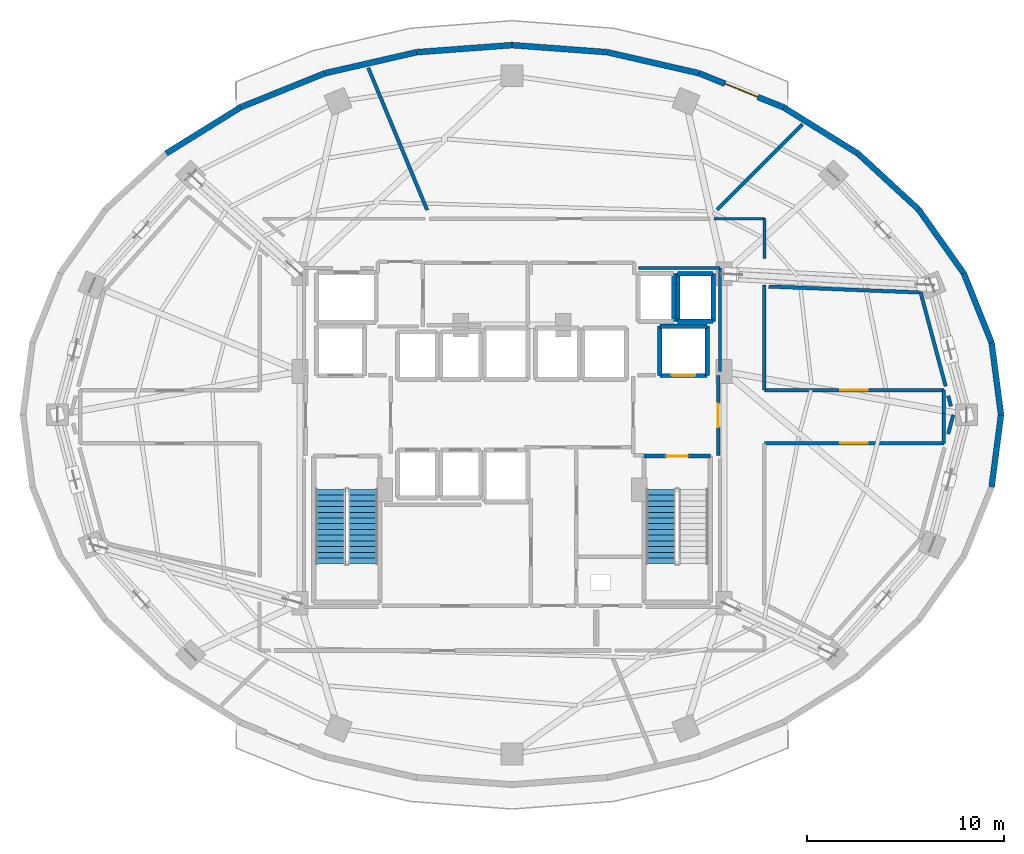
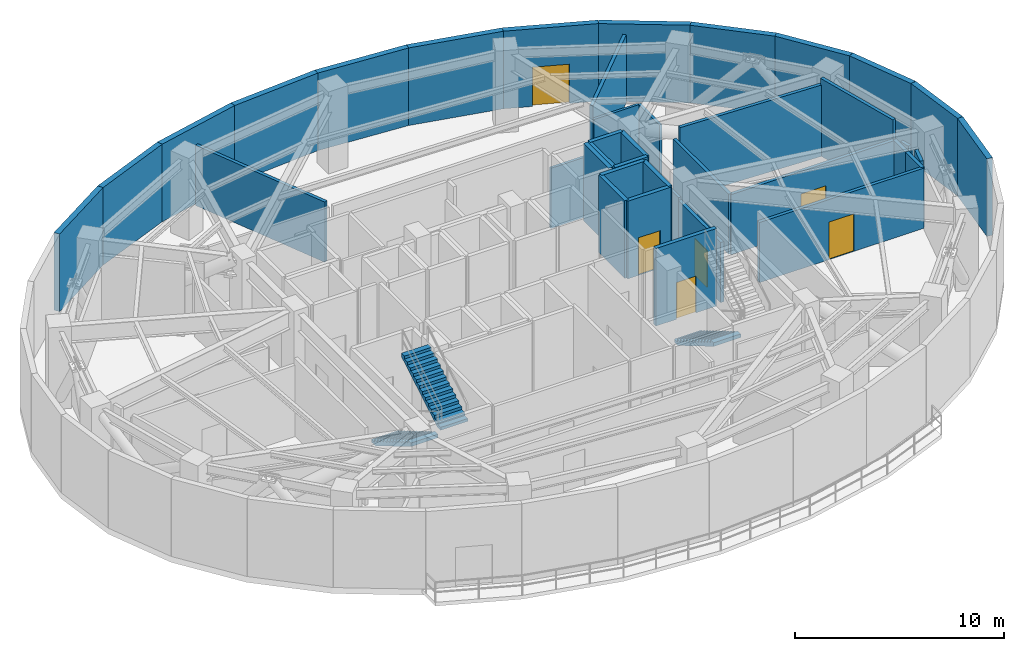
# One storey, part 9 of 11: 39 walls, 6 doors, 3 stair flights, 6 openings, 2 elements without a shape of their own.
"""IFC4 building model written with IfcOpenShell, lengths in metres."""

import ifcopenshell
import ifcopenshell.guid

model = None  # the IFC model being written
_history = None  # IfcOwnerHistory: only IFC2X3 demands one
_inside = {}  # id of a spatial element -> (the spatial element, [elements in it])
_under = {}  # id of a project, library or spatial element -> (it, [spatial elements below it])
_declared = {}  # id of a project -> (the project, [libraries it declares])
_typed = {}  # id of a type object -> (the type object, [elements of that type])
_made_of = {}  # id of a material, layer set ... -> (it, [elements and type objects made of it])


def new_model(schema):
    """Start an empty IFC model of exactly this schema.

    Asked for "IFC4X3", IfcOpenShell would pick the latest addendum, in which some entities
    have other attributes; the version numbers below select the first issue.
    IFC2X3 requires an IfcOwnerHistory on every rooted entity: one is made here for all.
    """
    global model, _history
    if schema == "IFC4X3":
        model = ifcopenshell.file(schema_version=(4, 3, 0, 0))
    else:
        model = ifcopenshell.file(schema=schema)
    _inside.clear()
    _under.clear()
    _declared.clear()
    _typed.clear()
    _made_of.clear()
    _history = None
    if model.schema == "IFC2X3":
        org = make("IfcOrganization", Name="unknown")
        user = make(
            "IfcPersonAndOrganization",
            ThePerson=make("IfcPerson", FamilyName="unknown"),
            TheOrganization=org,
        )
        app = make(
            "IfcApplication",
            ApplicationDeveloper=org,
            Version="unknown",
            ApplicationFullName="unknown",
            ApplicationIdentifier="unknown",
        )
        _history = make(
            "IfcOwnerHistory",
            OwningUser=user,
            OwningApplication=app,
            ChangeAction="ADDED",
            CreationDate=0,
        )
    return model


def make(cls, **values):
    """One entity of the class cls with the attributes given. An attribute that is None is left unset."""
    return model.create_entity(
        cls, **{name: value for name, value in values.items() if value is not None}
    )


def rooted(cls, **values):
    """An entity with a GlobalId (a new one), such as an element, a storey or a relation."""
    return make(cls, GlobalId=ifcopenshell.guid.new(), OwnerHistory=_history, **values)


def si_unit(unit_type, name, prefix=None):
    """IfcSIUnit, for example si_unit("LENGTHUNIT", "METRE", prefix="MILLI")."""
    return make("IfcSIUnit", UnitType=unit_type, Prefix=prefix, Name=name)


def assignment(units):
    """IfcUnitAssignment: the units of a project."""
    return None if units is None else make("IfcUnitAssignment", Units=units)


def point(xyz):
    """IfcCartesianPoint."""
    return None if xyz is None else make("IfcCartesianPoint", Coordinates=xyz)


def direction(xyz):
    """IfcDirection."""
    return None if xyz is None else make("IfcDirection", DirectionRatios=xyz)


def frame(location, z_axis=None, x_axis=None):
    """IfcAxis2Placement3D, a coordinate frame: its origin and axes. An axis left out is left unset."""
    return make(
        "IfcAxis2Placement3D",
        Location=point(location),
        Axis=direction(z_axis),
        RefDirection=direction(x_axis),
    )


def frame_2d(location, x_axis=None):
    """IfcAxis2Placement2D, a coordinate frame in the plane: its origin and x axis."""
    return make(
        "IfcAxis2Placement2D", Location=point(location), RefDirection=direction(x_axis)
    )


def origin():
    """The frame at (0, 0, 0) with its axes left unset."""
    return frame((0.0, 0.0, 0.0))


def place(relative_to, where):
    """IfcLocalPlacement: puts the frame where relative to a parent placement (None: the world)."""
    return make(
        "IfcLocalPlacement", PlacementRelTo=relative_to, RelativePlacement=where
    )


def context(
    kind, dimensions, precision=None, world=None, true_north=None, identifier=None
):
    """IfcGeometricRepresentationContext, for example the 3D "Model" context."""
    return make(
        "IfcGeometricRepresentationContext",
        ContextIdentifier=identifier,
        ContextType=kind,
        CoordinateSpaceDimension=dimensions,
        Precision=precision,
        WorldCoordinateSystem=world,
        TrueNorth=true_north,
    )


def subcontext(parent, identifier, kind, view, scale=None):
    """IfcGeometricRepresentationSubContext, for example "Body" below "Model"."""
    return make(
        "IfcGeometricRepresentationSubContext",
        ContextIdentifier=identifier,
        ContextType=kind,
        ParentContext=parent,
        TargetScale=scale,
        TargetView=view,
    )


def project(units=None, contexts=None):
    """IfcProject with its units and contexts."""
    return rooted(
        "IfcProject",
        Name="project",
        RepresentationContexts=contexts,
        UnitsInContext=assignment(units),
    )


def spatial(cls, under=None, at=None, **own):
    """A site, building, storey or space (cls), placed at a placement, below another one or the project."""
    s = rooted(cls, ObjectPlacement=at, **own)
    if under is not None:
        _under.setdefault(under.id(), (under, []))[1].append(s)
    return s


def polyline(points):
    """IfcPolyline through the points."""
    return make("IfcPolyline", Points=[point(p) for p in points])


def profile(cls, at=None, kind="AREA", **sizes):
    """A parametric profile (cls). Its sizes go by their IFC names, for example OverallWidth=200.0."""
    return make(cls, ProfileType=kind, Position=at, **sizes)


def rectangle(**sizes):
    """IfcRectangleProfileDef."""
    return profile("IfcRectangleProfileDef", **sizes)


def outline(outer, holes=None, kind="AREA"):
    """IfcArbitraryClosedProfileDef: a profile drawn as a closed curve; with holes, ...WithVoids."""
    if holes is None:
        return make("IfcArbitraryClosedProfileDef", ProfileType=kind, OuterCurve=outer)
    return make(
        "IfcArbitraryProfileDefWithVoids",
        ProfileType=kind,
        OuterCurve=outer,
        InnerCurves=holes,
    )


def extrude(swept, where, along, depth):
    """IfcExtrudedAreaSolid: the profile swept, set in the frame where, extruded along a direction by depth."""
    return make(
        "IfcExtrudedAreaSolid",
        SweptArea=swept,
        Position=where,
        ExtrudedDirection=direction(along),
        Depth=depth,
    )


def shape(context_of_items, identifier, shape_type, items):
    """IfcShapeRepresentation: the items that make up one representation, for example the "Body"."""
    return make(
        "IfcShapeRepresentation",
        ContextOfItems=context_of_items,
        RepresentationIdentifier=identifier,
        RepresentationType=shape_type,
        Items=items,
    )


def material(Name=None, Category=None):
    """IfcMaterial."""
    return make("IfcMaterial", Name=Name, Category=Category)


def layer(
    of_material, thickness, ventilated=None, Name=None, Category=None, Priority=None
):
    """IfcMaterialLayer: one layer of a wall or slab, of a material (None: an air gap)."""
    return make(
        "IfcMaterialLayer",
        Material=of_material,
        LayerThickness=thickness,
        IsVentilated=ventilated,
        Name=Name,
        Category=Category,
        Priority=Priority,
    )


def layer_set(layers, Name=None):
    """IfcMaterialLayerSet."""
    return make("IfcMaterialLayerSet", MaterialLayers=layers, LayerSetName=Name)


def made_of(thing, what):
    """Note that an element or type object is made of a material, layer set ...; save() writes the relation."""
    if what is not None:
        _made_of.setdefault(what.id(), (what, []))[1].append(thing)
    return thing


def type_object(cls, material=None, **own):
    """A type object (cls), such as IfcWallType, which elements share."""
    return made_of(rooted(cls, **own), material)


def element(
    cls,
    number,
    at=None,
    inside=None,
    cuts=None,
    type_object=None,
    material=None,
    context=None,
    identifier="Body",
    shape_type=None,
    held_by="IfcProductDefinitionShape",
    body=None,
    shapes=None,
    **own,
):
    """One element of the class cls, such as IfcWall. Its Tag is "e" and its number.

    at: its placement. inside: the storey or other place that contains it. cuts: it is an
    opening in that element (IfcRelVoidsElement). A single representation is given by context,
    identifier, shape_type and body (its items); several are given by shapes. held_by: the class
    of the entity that holds the representations. save() writes the other relations.
    """
    e = rooted(cls, Tag="e%d" % number, ObjectPlacement=at, **own)
    if body is not None:
        shapes = [shape(context, identifier, shape_type, body)]
    if shapes is not None:
        e.Representation = make(held_by, Representations=shapes)
    if inside is not None:
        _inside.setdefault(inside.id(), (inside, []))[1].append(e)
    if cuts is not None:
        rooted(
            "IfcRelVoidsElement", RelatingBuildingElement=cuts, RelatedOpeningElement=e
        )
    if type_object is not None:
        _typed.setdefault(type_object.id(), (type_object, []))[1].append(e)
    return made_of(e, material)


def fill(opening, filler):
    """IfcRelFillsElement: the door or window that sits in an opening."""
    return rooted(
        "IfcRelFillsElement",
        RelatingOpeningElement=opening,
        RelatedBuildingElement=filler,
    )


def aggregate(whole, parts):
    """IfcRelAggregates: a whole, such as a stair, and the parts it consists of."""
    return rooted("IfcRelAggregates", RelatingObject=whole, RelatedObjects=parts)


def save(model, path):
    """Write the relations noted so far, then the file.

    IfcRelAggregates (storeys below a building ...), IfcRelContainedInSpatialStructure (elements
    in a storey), IfcRelDefinesByType, IfcRelAssociatesMaterial and IfcRelDeclares: one each for
    every whole, place, type object, material and project.
    """
    for whole, parts in _under.values():
        aggregate(whole, parts)
    for where, things in _inside.values():
        rooted(
            "IfcRelContainedInSpatialStructure",
            RelatedElements=things,
            RelatingStructure=where,
        )
    for kind, things in _typed.values():
        rooted("IfcRelDefinesByType", RelatedObjects=things, RelatingType=kind)
    for what, things in _made_of.values():
        rooted("IfcRelAssociatesMaterial", RelatedObjects=things, RelatingMaterial=what)
    for by, libraries in _declared.values():
        rooted("IfcRelDeclares", RelatingContext=by, RelatedDefinitions=libraries)
    model.write(path)


model = new_model("IFC4")

# Units and contexts
model_context = context("Model", 3, precision=1e-05, world=origin(), true_north=direction((0.0, 1.0)))
body_context = subcontext(model_context, "Body", "Model", "MODEL_VIEW")
ifc_project = project(units=[si_unit("LENGTHUNIT", "METRE"), si_unit("AREAUNIT", "SQUARE_METRE"), si_unit("VOLUMEUNIT", "CUBIC_METRE"), si_unit("PLANEANGLEUNIT", "RADIAN"), si_unit("MASSUNIT", "GRAM", prefix="KILO")], contexts=[model_context])

# Site, building, storey
site_placement = place(None, origin())
site = spatial("IfcSite", under=ifc_project, at=site_placement, CompositionType="ELEMENT")
building_placement = place(site_placement, origin())
building = spatial("IfcBuilding", under=site, at=building_placement, Name="Vorneva Point Tower", CompositionType="ELEMENT")
storey_placement = place(building_placement, frame((0.0, 0.0, 124.300048828125)))
storey = spatial("IfcBuildingStorey", under=building, at=storey_placement, Name="L33", CompositionType="ELEMENT", Elevation=124.300048828125)

# Wall, opening, door
ifc_material_1 = material(Name="Concrete B60 (C50/60)", Category="concrete")
ifc_layer_1 = layer(ifc_material_1, 0.5)
ifc_layer_set_1 = layer_set([ifc_layer_1], Name="Concrete B60 (C50/60)")
wall_type_1 = type_object("IfcWallType", Name="WL-CORE-500", PredefinedType="SHEAR", material=ifc_layer_set_1)
wall_1_placement = place(storey_placement, frame((45.5, 28.0, 0.0), z_axis=(0.0, 0.0, 1.0), x_axis=(1.0, 0.0, 0.0)))
wall_1 = element("IfcWall", 1, at=wall_1_placement, inside=storey, type_object=wall_type_1, Name="L33 Lift FFL2 Shaft Wall -Y", PredefinedType="SHEAR", context=body_context, shape_type="SweptSolid", body=[
    extrude(rectangle(XDim=2.39990234375, YDim=0.219970703125, at=frame_2d((1.199951171875, 0.0))), origin(), (0.0, 0.0, 1.0), 4.5400390625),
])
opening_1_placement = place(wall_1_placement, frame((0.60009765625, 0.0, 0.0)))
opening_1 = element("IfcOpeningElement", 2, at=opening_1_placement, cuts=wall_1, Name="Opening LD-02", PredefinedType="OPENING", context=body_context, shape_type="SweptSolid", body=[
    extrude(rectangle(XDim=1.199951171875, YDim=2.199951171875, at=frame_2d((0.60009765625, 1.10009765625))), frame((0.0, 0.125, 0.0), z_axis=(0.0, -1.0, 0.0), x_axis=(1.0, 0.0, 0.0)), (0.0, 0.0, 1.0), 0.249755859375),
])
ifc_material_2 = material(Name="Brushed stainless steel S304", Category="steel")
door_type_1 = type_object("IfcDoorType", Name="LD-FIRE-1200", OperationType="SLIDING_TO_LEFT", PredefinedType="DOOR", material=ifc_material_2)
door_1_placement = place(opening_1_placement, origin())
door_1 = element("IfcDoor", 3, at=door_1_placement, inside=storey, type_object=door_type_1, Name="L33 Lift FFL2 Sliding Landing Door", OperationType="SLIDING_TO_LEFT", OverallHeight=2.199951171875, OverallWidth=1.199951171875, PredefinedType="DOOR", context=body_context, shape_type="SweptSolid", body=[
    extrude(rectangle(XDim=1.199951171875, YDim=2.199951171875, at=frame_2d((0.60009765625, 1.10009765625))), frame((0.0, 0.02490234375, 0.0), z_axis=(0.0, -1.0, 0.0), x_axis=(1.0, 0.0, 0.0)), (0.0, 0.0, 1.0), 0.050048828125),
])
fill(opening_1, door_1)

# Walls
wall_2_placement = place(storey_placement, frame((47.89990234375, 28.0, 0.0), z_axis=(0.0, 0.0, 1.0), x_axis=(0.0, 1.0, 0.0)))
element("IfcWall", 4, at=wall_2_placement, inside=storey, type_object=wall_type_1, Name="L33 Lift FFL2 Shaft Wall +X", PredefinedType="SHEAR", context=body_context, shape_type="SweptSolid", body=[
    extrude(rectangle(XDim=2.5, YDim=0.219970703125, at=frame_2d((1.25, 0.0))), origin(), (0.0, 0.0, 1.0), 4.5400390625),
])
wall_3_placement = place(storey_placement, frame((47.89990234375, 30.5, 0.0), z_axis=(0.0, 0.0, 1.0), x_axis=(-1.0, 0.0, 0.0)))
element("IfcWall", 5, at=wall_3_placement, inside=storey, type_object=wall_type_1, Name="L33 Lift FFL2 Shaft Wall +Y", PredefinedType="SHEAR", context=body_context, shape_type="SweptSolid", body=[
    extrude(rectangle(XDim=2.39990234375, YDim=0.219970703125, at=frame_2d((1.199951171875, 0.0))), origin(), (0.0, 0.0, 1.0), 4.5400390625),
])
wall_4_placement = place(storey_placement, frame((45.5, 30.5, 0.0), z_axis=(0.0, 0.0, 1.0), x_axis=(0.0, -1.0, 0.0)))
element("IfcWall", 6, at=wall_4_placement, inside=storey, type_object=wall_type_1, Name="L33 Lift FFL2 Shaft Wall -X", PredefinedType="SHEAR", context=body_context, shape_type="SweptSolid", body=[
    extrude(rectangle(XDim=2.5, YDim=0.219970703125, at=frame_2d((1.25, 0.0))), origin(), (0.0, 0.0, 1.0), 4.5400390625),
])
ifc_material_3 = material(Name="Precast concrete B50 (C40/50)", Category="concrete")
ifc_layer_2 = layer(ifc_material_3, 0.300048828125)
ifc_layer_set_2 = layer_set([ifc_layer_2], Name="Precast concrete B50 (C40/50)")
wall_type_2 = type_object("IfcWallType", Name="WL-EXT-300", PredefinedType="STANDARD", material=ifc_layer_set_2)
wall_5_placement = place(storey_placement, frame((62.800048828125, 26.0, 0.0), z_axis=(0.0, 0.0, 1.0), x_axis=(-0.129189225186, 0.991619959509, 0.0)))
element("IfcWall", 7, at=wall_5_placement, inside=storey, type_object=wall_type_2, Name="L33 Pale-Metal Facade Spandrel Wall 01.1", PredefinedType="STANDARD", context=body_context, shape_type="SweptSolid", body=[
    extrude(rectangle(XDim=3.68896484375, YDim=0.300048828125, at=frame_2d((1.844482421875, 0.0))), origin(), (0.0, 0.0, 1.0), 4.5400390625),
])
wall_6_placement = place(storey_placement, frame((62.323486328125, 29.657958984375, 0.0), z_axis=(0.0, 0.0, 1.0), x_axis=(-0.372401154411, 0.928071861546, 0.0)))
element("IfcWall", 8, at=wall_6_placement, inside=storey, type_object=wall_type_2, Name="L33 Pale-Metal Facade Spandrel Wall 01.2", PredefinedType="STANDARD", context=body_context, shape_type="SweptSolid", body=[
    extrude(rectangle(XDim=3.7900390625, YDim=0.300048828125, at=frame_2d((1.89501953125, 0.0))), origin(), (0.0, 0.0, 1.0), 4.5400390625),
])
wall_7_placement = place(storey_placement, frame((60.912109375, 33.17529296875, 0.0), z_axis=(0.0, 0.0, 1.0), x_axis=(-0.577269753207, 0.816553508371, 0.0)))
element("IfcWall", 9, at=wall_7_placement, inside=storey, type_object=wall_type_2, Name="L33 Pale-Metal Facade Spandrel Wall 02.1", PredefinedType="STANDARD", context=body_context, shape_type="SweptSolid", body=[
    extrude(rectangle(XDim=3.969970703125, YDim=0.300048828125, at=frame_2d((1.98486328125, 0.0))), origin(), (0.0, 0.0, 1.0), 4.5400390625),
])
wall_8_placement = place(storey_placement, frame((58.620361328125, 36.4169921875, 0.0), z_axis=(0.0, 0.0, 1.0), x_axis=(-0.735477154165, 0.677549522693, 0.0)))
element("IfcWall", 10, at=wall_8_placement, inside=storey, type_object=wall_type_2, Name="L33 Pale-Metal Facade Spandrel Wall 02.2", PredefinedType="STANDARD", context=body_context, shape_type="SweptSolid", body=[
    extrude(rectangle(XDim=4.193603515625, YDim=0.300048828125, at=frame_2d((2.0966796875, 0.0))), origin(), (0.0, 0.0, 1.0), 4.5400390625),
])
wall_9_placement = place(storey_placement, frame((55.5361328125, 39.25830078125, 0.0), z_axis=(0.0, 0.0, 1.0), x_axis=(-0.849721181976, 0.527232313977, 0.0)))
element("IfcWall", 11, at=wall_9_placement, inside=storey, type_object=wall_type_2, Name="L33 Pale-Metal Facade Spandrel Wall 03.1", PredefinedType="STANDARD", context=body_context, shape_type="SweptSolid", body=[
    extrude(rectangle(XDim=4.422607421875, YDim=0.300048828125, at=frame_2d((2.21142578125, 0.0))), origin(), (0.0, 0.0, 1.0), 4.5400390625),
])

# Wall, opening, door
wall_10_placement = place(storey_placement, frame((51.778076171875, 41.590087890625, 0.0), z_axis=(0.0, 0.0, 1.0), x_axis=(-0.927156504392, 0.374674280359, 0.0)))
wall_10 = element("IfcWall", 12, at=wall_10_placement, inside=storey, type_object=wall_type_2, Name="L33 Pale-Metal Facade Spandrel Wall 03.2", PredefinedType="STANDARD", context=body_context, shape_type="SweptSolid", body=[
    extrude(rectangle(XDim=4.62451171875, YDim=0.300048828125, at=frame_2d((2.312255859375, 0.0))), origin(), (0.0, 0.0, 1.0), 4.5400390625),
])
opening_2_placement = place(wall_10_placement, frame((1.412109375, 0.0, 0.0)))
opening_2 = element("IfcOpeningElement", 13, at=opening_2_placement, cuts=wall_10, Name="Opening BD-02", PredefinedType="OPENING", context=body_context, shape_type="SweptSolid", body=[
    extrude(rectangle(XDim=1.800048828125, YDim=2.300048828125, at=frame_2d((0.89990234375, 1.14990234375))), frame((0.0, 0.1650390625, 0.0), z_axis=(0.0, -1.0, 0.0), x_axis=(1.0, 0.0, 0.0)), (0.0, 0.0, 1.0), 0.329833984375),
])
ifc_material_4 = material(Name="Pale anodised aluminium", Category="aluminium")
door_type_2 = type_object("IfcDoorType", Name="DR-TER-1800", OperationType="DOUBLE_SWING_LEFT", PredefinedType="DOOR", material=ifc_material_4)
door_2_placement = place(opening_2_placement, origin())
door_2 = element("IfcDoor", 14, at=door_2_placement, inside=storey, type_object=door_type_2, Name="L33 Balcony Terrace Access Door 03", OperationType="DOUBLE_SWING_LEFT", OverallHeight=2.300048828125, OverallWidth=1.800048828125, PredefinedType="DOOR", context=body_context, shape_type="SweptSolid", body=[
    extrude(rectangle(XDim=1.800048828125, YDim=2.300048828125, at=frame_2d((0.89990234375, 1.14990234375))), frame((0.0, 0.02490234375, 0.0), z_axis=(0.0, -1.0, 0.0), x_axis=(1.0, 0.0, 0.0)), (0.0, 0.0, 1.0), 0.050048828125),
])
fill(opening_2, door_2)

# Walls
wall_11_placement = place(storey_placement, frame((47.490478515625, 43.32275390625, 0.0), z_axis=(0.0, 0.0, 1.0), x_axis=(-0.974698897188, 0.223521944832, 0.0)))
element("IfcWall", 15, at=wall_11_placement, inside=storey, type_object=wall_type_2, Name="L33 Pale-Metal Facade Spandrel Wall 04.1", PredefinedType="STANDARD", context=body_context, shape_type="SweptSolid", body=[
    extrude(rectangle(XDim=4.773193359375, YDim=0.300048828125, at=frame_2d((2.38671875, 0.0))), origin(), (0.0, 0.0, 1.0), 4.5400390625),
])
for number, where, z_axis, x_axis, name in (
    (16, (42.838134765625, 44.3896484375, 0.0), (0.0, 0.0, 1.0), (-0.997237740067, 0.074275768499, 0.0), "L33 Pale-Metal Facade Spandrel Wall 04.2"),
    (17, (38.0, 44.75, 0.0), (0.0, 0.0, 1.0), (-0.997237740067, -0.074275768499, 0.0), "L33 Pale-Metal Facade Spandrel Wall 05.1"),
):
    element("IfcWall", number, at=place(storey_placement, frame(where, z_axis=z_axis, x_axis=x_axis)), inside=storey, type_object=wall_type_2, Name=name, PredefinedType="STANDARD", context=body_context, shape_type="SweptSolid", body=[
        extrude(rectangle(XDim=4.8515625, YDim=0.300048828125, at=frame_2d((2.42578125, 0.0))), origin(), (0.0, 0.0, 1.0), 4.5400390625),
    ])
wall_12_placement = place(storey_placement, frame((33.161865234375, 44.3896484375, 0.0), z_axis=(0.0, 0.0, 1.0), x_axis=(-0.974698897188, -0.223521944832, 0.0)))
element("IfcWall", 18, at=wall_12_placement, inside=storey, type_object=wall_type_2, Name="L33 Pale-Metal Facade Spandrel Wall 05.2", PredefinedType="STANDARD", context=body_context, shape_type="SweptSolid", body=[
    extrude(rectangle(XDim=4.773193359375, YDim=0.300048828125, at=frame_2d((2.38671875, 0.0))), origin(), (0.0, 0.0, 1.0), 4.5400390625),
])
wall_13_placement = place(storey_placement, frame((28.509521484375, 43.32275390625, 0.0), z_axis=(0.0, 0.0, 1.0), x_axis=(-0.927156504392, -0.374674280359, 0.0)))
element("IfcWall", 19, at=wall_13_placement, inside=storey, type_object=wall_type_2, Name="L33 Pale-Metal Facade Spandrel Wall 06.1", PredefinedType="STANDARD", context=body_context, shape_type="SweptSolid", body=[
    extrude(rectangle(XDim=4.62451171875, YDim=0.300048828125, at=frame_2d((2.312255859375, 0.0))), origin(), (0.0, 0.0, 1.0), 4.5400390625),
])
wall_14_placement = place(storey_placement, frame((24.221923828125, 41.590087890625, 0.0), z_axis=(0.0, 0.0, 1.0), x_axis=(-0.849721181976, -0.527232313977, 0.0)))
element("IfcWall", 20, at=wall_14_placement, inside=storey, type_object=wall_type_2, Name="L33 Pale-Metal Facade Spandrel Wall 06.2", PredefinedType="STANDARD", context=body_context, shape_type="SweptSolid", body=[
    extrude(rectangle(XDim=4.422607421875, YDim=0.300048828125, at=frame_2d((2.21142578125, 0.0))), origin(), (0.0, 0.0, 1.0), 4.5400390625),
])
wall_15_placement = place(storey_placement, frame((62.323486328125, 22.342041015625, 0.0), z_axis=(0.0, 0.0, 1.0), x_axis=(0.129189225186, 0.991619959509, 0.0)))
element("IfcWall", 21, at=wall_15_placement, inside=storey, type_object=wall_type_2, Name="L33 Pale-Metal Facade Spandrel Wall 16.2", PredefinedType="STANDARD", context=body_context, shape_type="SweptSolid", body=[
    extrude(rectangle(XDim=3.68896484375, YDim=0.300048828125, at=frame_2d((1.844482421875, 0.0))), origin(), (0.0, 0.0, 1.0), 4.5400390625),
])
ifc_material_5 = material(Name="Fire-rated acoustic gypsum stud partition", Category="gypsum")
ifc_layer_3 = layer(ifc_material_5, 0.139892578125)
ifc_layer_set_3 = layer_set([ifc_layer_3], Name="Fire-rated acoustic gypsum stud partition")
wall_type_3 = type_object("IfcWallType", Name="WL-PART-140", PredefinedType="PARTITIONING", material=ifc_layer_set_3)
wall_16_placement = place(storey_placement, frame((50.800048828125, 33.927978515625, 0.0), z_axis=(0.0, 0.0, 1.0), x_axis=(0.0, 1.0, 0.0)))
element("IfcWall", 22, at=wall_16_placement, inside=storey, type_object=wall_type_3, Name="L33 Interior Closure Partition 042", PredefinedType="PARTITIONING", context=body_context, shape_type="SweptSolid", body=[
    extrude(rectangle(XDim=2.02197265625, YDim=0.139892578125, at=frame_2d((1.010986328125, 0.0))), origin(), (0.0, 0.0, 1.0), 3.52197265625),
])
wall_17_placement = place(storey_placement, frame((50.800048828125, 35.949951171875, 0.0), z_axis=(0.0, 0.0, 1.0), x_axis=(-1.0, 0.0, 0.0)))
element("IfcWall", 23, at=wall_17_placement, inside=storey, type_object=wall_type_3, Name="L33 Interior Closure Partition 043", PredefinedType="PARTITIONING", context=body_context, shape_type="SweptSolid", body=[
    extrude(rectangle(XDim=2.545166015625, YDim=0.139892578125, at=frame_2d((1.2724609375, 0.0))), origin(), (0.0, 0.0, 1.0), 3.52197265625),
])
wall_18_placement = place(storey_placement, frame((48.550048828125, 28.196044921875, 0.0), z_axis=(0.0, 0.0, 1.0), x_axis=(0.0, 1.0, 0.0)))
element("IfcWall", 24, at=wall_18_placement, inside=storey, type_object=wall_type_3, Name="L33 Interior Closure Partition 061", PredefinedType="PARTITIONING", context=body_context, shape_type="SweptSolid", body=[
    extrude(rectangle(XDim=5.25390625, YDim=0.139892578125, at=frame_2d((2.626953125, 0.0))), origin(), (0.0, 0.0, 1.0), 3.52197265625),
])
wall_19_placement = place(storey_placement, frame((48.550048828125, 33.449951171875, 0.0), z_axis=(0.0, 0.0, 1.0), x_axis=(-1.0, 0.0, 0.0)))
element("IfcWall", 25, at=wall_19_placement, inside=storey, type_object=wall_type_3, Name="L33 Interior Closure Partition 062", PredefinedType="PARTITIONING", context=body_context, shape_type="SweptSolid", body=[
    extrude(rectangle(XDim=4.130126953125, YDim=0.139892578125, at=frame_2d((2.06494140625, 0.0))), origin(), (0.0, 0.0, 1.0), 3.52197265625),
])

# Wall, opening, door
ifc_material_6 = material(Name="Autoclaved aerated concrete blockwork", Category="masonry")
ifc_layer_4 = layer(ifc_material_6, 0.179931640625)
ifc_layer_set_4 = layer_set([ifc_layer_4], Name="Autoclaved aerated concrete blockwork")
wall_type_4 = type_object("IfcWallType", Name="WL-PART-180", PredefinedType="PARTITIONING", material=ifc_layer_set_4)
wall_20_placement = place(storey_placement, frame((48.449951171875, 23.949951171875, 0.0), z_axis=(0.0, 0.0, 1.0), x_axis=(0.0, 1.0, 0.0)))
wall_20 = element("IfcWall", 26, at=wall_20_placement, inside=storey, type_object=wall_type_4, Name="L33 Interior Partition 005", PredefinedType="PARTITIONING", context=body_context, shape_type="SweptSolid", body=[
    extrude(rectangle(XDim=4.050048828125, YDim=0.179931640625, at=frame_2d((2.02490234375, 0.0))), origin(), (0.0, 0.0, 1.0), 3.52197265625),
])
opening_3_placement = place(wall_20_placement, frame((1.425048828125, 0.0, 0.0)))
opening_3 = element("IfcOpeningElement", 27, at=opening_3_placement, cuts=wall_20, Name="Opening FD-02", PredefinedType="OPENING", context=body_context, shape_type="SweptSolid", body=[
    extrude(rectangle(XDim=1.199951171875, YDim=2.14990234375, at=frame_2d((0.60009765625, 1.074951171875))), frame((0.0, 0.10498046875, 0.0), z_axis=(0.0, -1.0, 0.0), x_axis=(1.0, 0.0, 0.0)), (0.0, 0.0, 1.0), 0.209716796875),
])
ifc_material_7 = material(Name="Fire-rated powder-coated steel", Category="steel")
door_type_3 = type_object("IfcDoorType", Name="DR-FFL-1200", OperationType="NOTDEFINED", PredefinedType="DOOR", material=ifc_material_7)
door_3_placement = place(opening_3_placement, origin())
door_3 = element("IfcDoor", 28, at=door_3_placement, inside=storey, type_object=door_type_3, Name="L33 Door East Firefighting Lobby / L33 Refuge and Lift Lobby", OperationType="SINGLE_SWING_LEFT", OverallHeight=2.14990234375, OverallWidth=1.199951171875, PredefinedType="DOOR", context=body_context, shape_type="SweptSolid", body=[
    extrude(rectangle(XDim=1.199951171875, YDim=2.14990234375, at=frame_2d((0.60009765625, 1.074951171875))), frame((0.0, 0.02490234375, 0.0), z_axis=(0.0, -1.0, 0.0), x_axis=(1.0, 0.0, 0.0)), (0.0, 0.0, 1.0), 0.050048828125),
])
fill(opening_3, door_3)

wall_21_placement = place(storey_placement, frame((50.800048828125, 24.550048828125, 0.0), z_axis=(0.0, 0.0, 1.0), x_axis=(1.0, 0.0, 0.0)))
wall_21 = element("IfcWall", 29, at=wall_21_placement, inside=storey, type_object=wall_type_4, Name="L33 Interior Partition 032", PredefinedType="PARTITIONING", context=body_context, shape_type="SweptSolid", body=[
    extrude(rectangle(XDim=9.099853515625, YDim=0.179931640625, at=frame_2d((4.5498046875, 0.0))), origin(), (0.0, 0.0, 1.0), 3.52197265625),
])
opening_4_placement = place(wall_21_placement, frame((3.85009765625, 0.0, 0.0)))
opening_4 = element("IfcOpeningElement", 30, at=opening_4_placement, cuts=wall_21, Name="Opening FD-03", PredefinedType="OPENING", context=body_context, shape_type="SweptSolid", body=[
    extrude(rectangle(XDim=1.39990234375, YDim=2.199951171875, at=frame_2d((0.699951171875, 1.10009765625))), frame((0.0, 0.10498046875, 0.0), z_axis=(0.0, -1.0, 0.0), x_axis=(1.0, 0.0, 0.0)), (0.0, 0.0, 1.0), 0.209716796875),
])
door_type_4 = type_object("IfcDoorType", Name="DR-PLT-1400", OperationType="DOUBLE_SWING_LEFT", PredefinedType="DOOR", material=ifc_material_7)
door_4_placement = place(opening_4_placement, origin())
door_4 = element("IfcDoor", 31, at=door_4_placement, inside=storey, type_object=door_type_4, Name="L33 Door L33 Refuge and Lift Lobby / Air Handling Plant Room L33", OperationType="DOUBLE_SWING_LEFT", OverallHeight=2.199951171875, OverallWidth=1.39990234375, PredefinedType="DOOR", context=body_context, shape_type="SweptSolid", body=[
    extrude(rectangle(XDim=1.39990234375, YDim=2.199951171875, at=frame_2d((0.699951171875, 1.10009765625))), frame((0.0, 0.02490234375, 0.0), z_axis=(0.0, -1.0, 0.0), x_axis=(1.0, 0.0, 0.0)), (0.0, 0.0, 1.0), 0.050048828125),
])
fill(opening_4, door_4)

# Walls
wall_22_placement = place(storey_placement, frame((59.89990234375, 24.550048828125, 0.0), z_axis=(0.0, 0.0, 1.0), x_axis=(0.0, 1.0, 0.0)))
element("IfcWall", 32, at=wall_22_placement, inside=storey, type_object=wall_type_4, Name="L33 Interior Partition 033", PredefinedType="PARTITIONING", context=body_context, shape_type="SweptSolid", body=[
    extrude(rectangle(XDim=1.510009765625, YDim=0.179931640625, at=frame_2d((0.7548828125, 0.0))), origin(), (0.0, 0.0, 1.0), 3.52197265625),
])
wall_23_placement = place(storey_placement, frame((59.89990234375, 26.06005859375, 0.0), z_axis=(0.0, 0.0, 1.0), x_axis=(0.0, 1.0, 0.0)))
element("IfcWall", 33, at=wall_23_placement, inside=storey, type_object=wall_type_4, Name="L33 Interior Partition 034", PredefinedType="PARTITIONING", context=body_context, shape_type="SweptSolid", body=[
    extrude(rectangle(XDim=1.18994140625, YDim=0.179931640625, at=frame_2d((0.594970703125, 0.0))), origin(), (0.0, 0.0, 1.0), 3.52197265625),
])

# Wall, opening, door
wall_24_placement = place(storey_placement, frame((59.89990234375, 27.25, 0.0), z_axis=(0.0, 0.0, 1.0), x_axis=(-1.0, 0.0, 0.0)))
wall_24 = element("IfcWall", 34, at=wall_24_placement, inside=storey, type_object=wall_type_4, Name="L33 Interior Partition 035", PredefinedType="PARTITIONING", context=body_context, shape_type="SweptSolid", body=[
    extrude(rectangle(XDim=9.099853515625, YDim=0.179931640625, at=frame_2d((4.5498046875, 0.0))), origin(), (0.0, 0.0, 1.0), 3.52197265625),
])
opening_5_placement = place(wall_24_placement, frame((3.85009765625, 0.0, 0.0)))
opening_5 = element("IfcOpeningElement", 35, at=opening_5_placement, cuts=wall_24, Name="Opening FD-03", PredefinedType="OPENING", context=body_context, shape_type="SweptSolid", body=[
    extrude(rectangle(XDim=1.39990234375, YDim=2.199951171875, at=frame_2d((0.699951171875, 1.10009765625))), frame((0.0, 0.10498046875, 0.0), z_axis=(0.0, -1.0, 0.0), x_axis=(1.0, 0.0, 0.0)), (0.0, 0.0, 1.0), 0.209716796875),
])
door_5_placement = place(opening_5_placement, origin())
door_5 = element("IfcDoor", 36, at=door_5_placement, inside=storey, type_object=door_type_4, Name="L33 Door L33 Refuge and Lift Lobby / Electrical Switchgear Room L33", OperationType="DOUBLE_SWING_LEFT", OverallHeight=2.199951171875, OverallWidth=1.39990234375, PredefinedType="DOOR", context=body_context, shape_type="SweptSolid", body=[
    extrude(rectangle(XDim=1.39990234375, YDim=2.199951171875, at=frame_2d((0.699951171875, 1.10009765625))), frame((0.0, 0.02490234375, 0.0), z_axis=(0.0, -1.0, 0.0), x_axis=(1.0, 0.0, 0.0)), (0.0, 0.0, 1.0), 0.050048828125),
])
fill(opening_5, door_5)

# Walls
wall_25_placement = place(storey_placement, frame((50.800048828125, 27.25, 0.0), z_axis=(0.0, 0.0, 1.0), x_axis=(0.0, 1.0, 0.0)))
element("IfcWall", 37, at=wall_25_placement, inside=storey, type_object=wall_type_4, Name="L33 Interior Partition 036", PredefinedType="PARTITIONING", context=body_context, shape_type="SweptSolid", body=[
    extrude(rectangle(XDim=5.327880859375, YDim=0.179931640625, at=frame_2d((2.6640625, 0.0))), origin(), (0.0, 0.0, 1.0), 3.52197265625),
])
wall_26_placement = place(storey_placement, frame((30.708984375, 43.60107421875, 0.0), z_axis=(0.0, 0.0, 1.0), x_axis=(0.382774255296, -0.923841907191, 0.0)))
element("IfcWall", 38, at=wall_26_placement, inside=storey, type_object=wall_type_4, Name="L33 Interior Closure Partition 063", PredefinedType="PARTITIONING", context=body_context, shape_type="SweptSolid", body=[
    extrude(rectangle(XDim=7.808837890625, YDim=0.179931640625, at=frame_2d((3.904296875, 0.0))), origin(), (0.0, 0.0, 1.0), 3.52197265625),
])
wall_27_placement = place(storey_placement, frame((48.39990234375, 36.39990234375, 0.0), z_axis=(0.0, 0.0, 1.0), x_axis=(0.707106781187, 0.707106781187, 0.0)))
element("IfcWall", 39, at=wall_27_placement, inside=storey, type_object=wall_type_4, Name="L33 Interior Closure Partition 064", PredefinedType="PARTITIONING", context=body_context, shape_type="SweptSolid", body=[
    extrude(rectangle(XDim=6.1337890625, YDim=0.179931640625, at=frame_2d((3.06689453125, 0.0))), origin(), (0.0, 0.0, 1.0), 3.97705078125),
])
wall_28_placement = place(storey_placement, frame((60.1201171875, 25.035888671875, 0.0), z_axis=(0.0, 0.0, 1.0), x_axis=(0.257418962866, 0.966299890074, 0.0)))
element("IfcWall", 40, at=wall_28_placement, inside=storey, type_object=wall_type_4, Name="L33 Interior Closure Partition 078", PredefinedType="PARTITIONING", context=body_context, shape_type="SweptSolid", body=[
    extrude(rectangle(XDim=0.997802734375, YDim=0.179931640625, at=frame_2d((0.4990234375, 0.0))), origin(), (0.0, 0.0, 1.0), 3.52197265625),
])
wall_29_placement = place(storey_placement, frame((60.260986328125, 26.43408203125, 0.0), z_axis=(0.0, 0.0, 1.0), x_axis=(-0.256859051488, 0.966448874835, 0.0)))
element("IfcWall", 41, at=wall_29_placement, inside=storey, type_object=wall_type_4, Name="L33 Interior Closure Partition 079", PredefinedType="PARTITIONING", context=body_context, shape_type="SweptSolid", body=[
    extrude(rectangle(XDim=0.54833984375, YDim=0.179931640625, at=frame_2d((0.274169921875, 0.0))), origin(), (0.0, 0.0, 1.0), 3.52197265625),
])
wall_30_placement = place(storey_placement, frame((59.989990234375, 27.449951171875, 0.0), z_axis=(0.0, 0.0, 1.0), x_axis=(-0.257483550771, 0.966282681767, 0.0)))
element("IfcWall", 42, at=wall_30_placement, inside=storey, type_object=wall_type_4, Name="L33 Interior Closure Partition 080", PredefinedType="PARTITIONING", context=body_context, shape_type="SweptSolid", body=[
    extrude(rectangle(XDim=4.921142578125, YDim=0.179931640625, at=frame_2d((2.46044921875, 0.0))), origin(), (0.0, 0.0, 1.0), 4.5400390625),
])
wall_31_placement = place(storey_placement, frame((58.722900390625, 32.205078125, 0.0), z_axis=(0.0, 0.0, 1.0), x_axis=(-0.999222365292, 0.039429236626, 0.0)))
element("IfcWall", 43, at=wall_31_placement, inside=storey, type_object=wall_type_4, Name="L33 Interior Closure Partition 081", PredefinedType="PARTITIONING", context=body_context, shape_type="SweptSolid", body=[
    extrude(rectangle(XDim=7.708984375, YDim=0.179931640625, at=frame_2d((3.8544921875, 0.0))), origin(), (0.0, 0.0, 1.0), 4.174072265625),
])

# Wall, opening, door
ifc_material_8 = material(Name="Concrete B50 (C40/50)", Category="concrete")
ifc_layer_5 = layer(ifc_material_8, 0.219970703125)
ifc_layer_set_5 = layer_set([ifc_layer_5], Name="Concrete B50 (C40/50)")
wall_type_5 = type_object("IfcWallType", Name="WL-SHFT-220", PredefinedType="SOLIDWALL", material=ifc_layer_set_5)
wall_32_placement = place(storey_placement, frame((44.68994140625, 23.909912109375, 0.0), z_axis=(0.0, 0.0, 1.0), x_axis=(1.0, 0.0, 0.0)))
wall_32 = element("IfcWall", 44, at=wall_32_placement, inside=storey, type_object=wall_type_5, Name="L33 Exit Stair ST2 Shaft Wall near", PredefinedType="SOLIDWALL", context=body_context, shape_type="SweptSolid", body=[
    extrude(rectangle(XDim=3.3701171875, YDim=0.219970703125, at=frame_2d((1.68505859375, 0.0))), origin(), (0.0, 0.0, 1.0), 4.5400390625),
])
opening_6_placement = place(wall_32_placement, frame((1.135009765625, 0.0, 0.0)))
opening_6 = element("IfcOpeningElement", 45, at=opening_6_placement, cuts=wall_32, Name="Opening FD-01", PredefinedType="OPENING", context=body_context, shape_type="SweptSolid", body=[
    extrude(rectangle(XDim=1.10009765625, YDim=2.14990234375, at=frame_2d((0.550048828125, 1.074951171875))), frame((0.0, 0.125, 0.0), z_axis=(0.0, -1.0, 0.0), x_axis=(1.0, 0.0, 0.0)), (0.0, 0.0, 1.0), 0.249755859375),
])
door_type_5 = type_object("IfcDoorType", Name="DR-STAIR-1100", OperationType="NOTDEFINED", PredefinedType="DOOR", material=ifc_material_7)
door_6_placement = place(opening_6_placement, origin())
door_6 = element("IfcDoor", 46, at=door_6_placement, inside=storey, type_object=door_type_5, Name="L33 Exit Stair ST2 Fire Door", OperationType="SINGLE_SWING_RIGHT", OverallHeight=2.14990234375, OverallWidth=1.10009765625, PredefinedType="DOOR", context=body_context, shape_type="SweptSolid", body=[
    extrude(rectangle(XDim=1.10009765625, YDim=2.14990234375, at=frame_2d((0.550048828125, 1.074951171875))), frame((0.0, 0.02490234375, 0.0), z_axis=(0.0, -1.0, 0.0), x_axis=(1.0, 0.0, 0.0)), (0.0, 0.0, 1.0), 0.050048828125),
])
fill(opening_6, door_6)

# Walls
wall_33_placement = place(storey_placement, frame((46.199951171875, 30.739990234375, 0.0), z_axis=(0.0, 0.0, 1.0), x_axis=(0.0, 1.0, 0.0)))
element("IfcWall", 47, at=wall_33_placement, inside=storey, type_object=wall_type_5, Name="L33 Lift EX1 Shaft Wall +X", PredefinedType="SOLIDWALL", context=body_context, shape_type="SweptSolid", body=[
    extrude(rectangle(XDim=2.419921875, YDim=0.219970703125, at=frame_2d((1.2099609375, 0.0))), origin(), (0.0, 0.0, 1.0), 4.5400390625),
])
wall_34_placement = place(storey_placement, frame((46.39990234375, 30.739990234375, 0.0), z_axis=(0.0, 0.0, 1.0), x_axis=(1.0, 0.0, 0.0)))
element("IfcWall", 48, at=wall_34_placement, inside=storey, type_object=wall_type_5, Name="L33 Lift EX2 Shaft Wall -Y", PredefinedType="SOLIDWALL", context=body_context, shape_type="SweptSolid", body=[
    extrude(rectangle(XDim=1.800048828125, YDim=0.219970703125, at=frame_2d((0.89990234375, 0.0))), origin(), (0.0, 0.0, 1.0), 4.5400390625),
])
wall_35_placement = place(storey_placement, frame((48.199951171875, 30.739990234375, 0.0), z_axis=(0.0, 0.0, 1.0), x_axis=(0.0, 1.0, 0.0)))
element("IfcWall", 49, at=wall_35_placement, inside=storey, type_object=wall_type_5, Name="L33 Lift EX2 Shaft Wall +X", PredefinedType="SOLIDWALL", context=body_context, shape_type="SweptSolid", body=[
    extrude(rectangle(XDim=2.419921875, YDim=0.219970703125, at=frame_2d((1.2099609375, 0.0))), origin(), (0.0, 0.0, 1.0), 4.5400390625),
])
wall_36_placement = place(storey_placement, frame((48.199951171875, 33.159912109375, 0.0), z_axis=(0.0, 0.0, 1.0), x_axis=(-1.0, 0.0, 0.0)))
element("IfcWall", 50, at=wall_36_placement, inside=storey, type_object=wall_type_5, Name="L33 Lift EX2 Shaft Wall +Y", PredefinedType="SOLIDWALL", context=body_context, shape_type="SweptSolid", body=[
    extrude(rectangle(XDim=1.800048828125, YDim=0.219970703125, at=frame_2d((0.89990234375, 0.0))), origin(), (0.0, 0.0, 1.0), 4.5400390625),
])
wall_37_placement = place(storey_placement, frame((46.39990234375, 33.159912109375, 0.0), z_axis=(0.0, 0.0, 1.0), x_axis=(0.0, -1.0, 0.0)))
element("IfcWall", 51, at=wall_37_placement, inside=storey, type_object=wall_type_5, Name="L33 Lift EX2 Shaft Wall -X", PredefinedType="SOLIDWALL", context=body_context, shape_type="SweptSolid", body=[
    extrude(rectangle(XDim=2.419921875, YDim=0.219970703125, at=frame_2d((1.2099609375, 0.0))), origin(), (0.0, 0.0, 1.0), 4.5400390625),
])

# Stair, stair flights
stair_type = type_object("IfcStairType", Name="ST-DOG-1500", PredefinedType="HALF_TURN_STAIR", material=ifc_material_8)
stair_1_placement = place(storey_placement, origin())
stair_1 = element("IfcStair", 52, at=stair_1_placement, inside=storey, type_object=stair_type, Name="L33 ST1", PredefinedType="HALF_TURN_STAIR")
stair_flight_type = type_object("IfcStairFlightType", Name="STF-1500", PredefinedType="STRAIGHT", material=ifc_material_8)
stair_flight_1_placement = place(storey_placement, frame((28.800048828125, 22.219970703125, 0.0), z_axis=(0.0, 0.0, 1.0), x_axis=(0.0, -1.0, 0.0)))
stair_flight_1 = element("IfcStairFlight", 53, at=stair_flight_1_placement, type_object=stair_flight_type, Name="ST1 flight 1", NumberOfRisers=14, NumberOfTreads=13, PredefinedType="STRAIGHT", RiserHeight=0.171428571, TreadLength=0.29, context=body_context, shape_type="SweptSolid", body=[
    extrude(outline(polyline([(0.0, 0.0), (0.0, 0.17138671875), (0.2900390625, 0.17138671875), (0.2900390625, 0.3427734375), (0.580078125, 0.3427734375), (0.580078125, 0.514404296875), (0.8701171875, 0.514404296875), (0.8701171875, 0.685791015625), (1.159912109375, 0.685791015625), (1.159912109375, 0.857177734375), (1.449951171875, 0.857177734375), (1.449951171875, 1.028564453125), (1.739990234375, 1.028564453125), (1.739990234375, 1.199951171875), (2.030029296875, 1.199951171875), (2.030029296875, 1.371337890625), (2.320068359375, 1.371337890625), (2.320068359375, 1.54296875), (2.610107421875, 1.54296875), (2.610107421875, 1.71435546875), (2.89990234375, 1.71435546875), (2.89990234375, 1.8857421875), (3.18994140625, 1.8857421875), (3.18994140625, 2.05712890625), (3.47998046875, 2.05712890625), (3.47998046875, 2.228515625), (3.77001953125, 2.228515625), (3.77001953125, 2.39990234375), (3.77001953125, 2.01953125), (0.353515625, 0.0), (0.0, 0.0)])), frame((0.0, 0.75, 0.0), z_axis=(0.0, -1.0, 0.0), x_axis=(1.0, 0.0, 0.0)), (0.0, 0.0, 1.0), 1.5),
])
stair_flight_2_placement = place(storey_placement, frame((30.449951171875, 18.449951171875, 2.39990234375), z_axis=(0.0, 0.0, 1.0), x_axis=(0.0, 1.0, 0.0)))
stair_flight_2 = element("IfcStairFlight", 54, at=stair_flight_2_placement, type_object=stair_flight_type, Name="ST1 flight 2", NumberOfRisers=14, NumberOfTreads=13, PredefinedType="STRAIGHT", RiserHeight=0.171428571, TreadLength=0.29, context=body_context, shape_type="SweptSolid", body=[
    extrude(outline(polyline([(0.0, 0.0), (0.0, 0.17138671875), (0.2900390625, 0.17138671875), (0.2900390625, 0.3427734375), (0.580078125, 0.3427734375), (0.580078125, 0.514404296875), (0.8701171875, 0.514404296875), (0.8701171875, 0.685791015625), (1.159912109375, 0.685791015625), (1.159912109375, 0.857177734375), (1.449951171875, 0.857177734375), (1.449951171875, 1.028564453125), (1.739990234375, 1.028564453125), (1.739990234375, 1.199951171875), (2.030029296875, 1.199951171875), (2.030029296875, 1.371337890625), (2.320068359375, 1.371337890625), (2.320068359375, 1.54296875), (2.610107421875, 1.54296875), (2.610107421875, 1.71435546875), (2.89990234375, 1.71435546875), (2.89990234375, 1.8857421875), (3.18994140625, 1.8857421875), (3.18994140625, 2.05712890625), (3.47998046875, 2.05712890625), (3.47998046875, 2.228515625), (3.77001953125, 2.228515625), (3.77001953125, 2.39990234375), (3.77001953125, 2.01953125), (0.353515625, 0.0), (0.0, 0.0)])), frame((0.0, 0.75, 0.0), z_axis=(0.0, -1.0, 0.0), x_axis=(1.0, 0.0, 0.0)), (0.0, 0.0, 1.0), 1.5),
])
aggregate(stair_1, [stair_flight_1, stair_flight_2])

# Stair, stair flight
stair_2_placement = place(storey_placement, origin())
stair_2 = element("IfcStair", 55, at=stair_2_placement, inside=storey, type_object=stair_type, Name="L33 ST2", PredefinedType="HALF_TURN_STAIR")
stair_flight_3_placement = place(storey_placement, frame((45.550048828125, 22.219970703125, 0.0), z_axis=(0.0, 0.0, 1.0), x_axis=(0.0, -1.0, 0.0)))
stair_flight_3 = element("IfcStairFlight", 56, at=stair_flight_3_placement, type_object=stair_flight_type, Name="ST2 flight 1", NumberOfRisers=14, NumberOfTreads=13, PredefinedType="STRAIGHT", RiserHeight=0.171428571, TreadLength=0.29, context=body_context, shape_type="SweptSolid", body=[
    extrude(outline(polyline([(0.0, 0.0), (0.0, 0.17138671875), (0.2900390625, 0.17138671875), (0.2900390625, 0.3427734375), (0.580078125, 0.3427734375), (0.580078125, 0.514404296875), (0.8701171875, 0.514404296875), (0.8701171875, 0.685791015625), (1.159912109375, 0.685791015625), (1.159912109375, 0.857177734375), (1.449951171875, 0.857177734375), (1.449951171875, 1.028564453125), (1.739990234375, 1.028564453125), (1.739990234375, 1.199951171875), (2.030029296875, 1.199951171875), (2.030029296875, 1.371337890625), (2.320068359375, 1.371337890625), (2.320068359375, 1.54296875), (2.610107421875, 1.54296875), (2.610107421875, 1.71435546875), (2.89990234375, 1.71435546875), (2.89990234375, 1.8857421875), (3.18994140625, 1.8857421875), (3.18994140625, 2.05712890625), (3.47998046875, 2.05712890625), (3.47998046875, 2.228515625), (3.77001953125, 2.228515625), (3.77001953125, 2.39990234375), (3.77001953125, 2.01953125), (0.353515625, 0.0), (0.0, 0.0)])), frame((0.0, 0.75, 0.0), z_axis=(0.0, -1.0, 0.0), x_axis=(1.0, 0.0, 0.0)), (0.0, 0.0, 1.0), 1.5),
])
aggregate(stair_2, [stair_flight_3])

save(model, "model.ifc")
